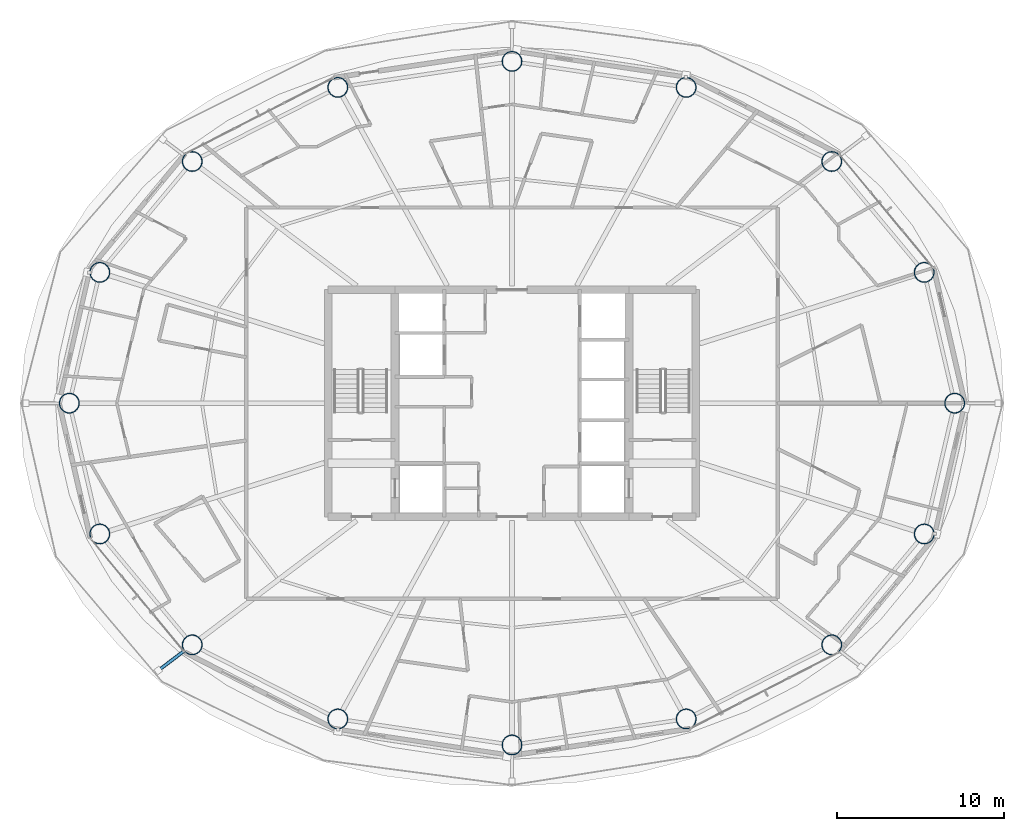
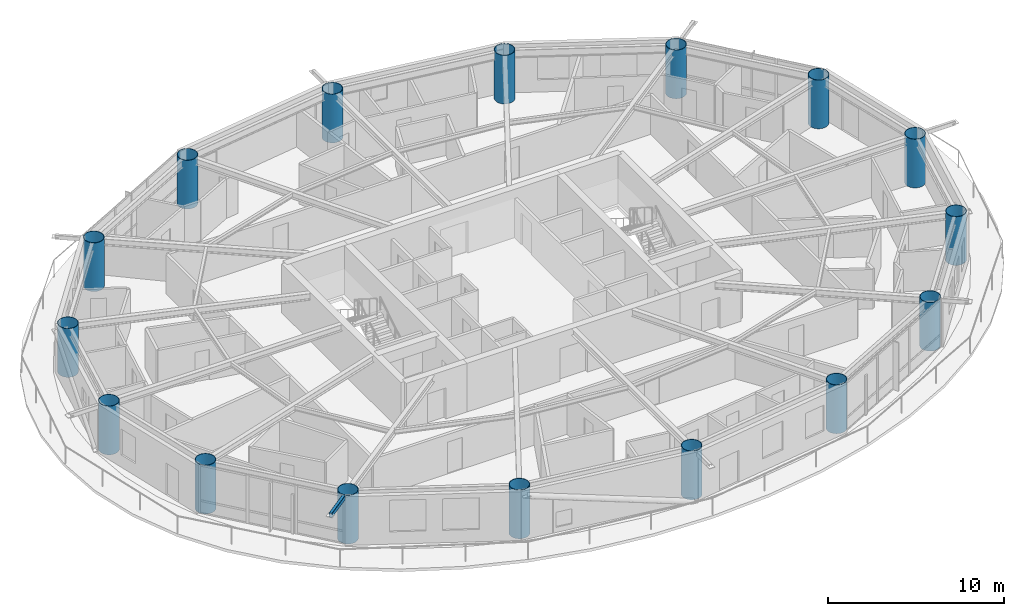
# One storey, part 1 of 28: 16 columns, 1 member.
"""IFC4 building model written with IfcOpenShell, lengths in metres."""

from ifc_helpers import new_model, si_unit, direction, frame, origin, origin_2d, place, context, subcontext, project, spatial, hollow_rectangle, hollow_circle, extrude, material, material_profile, profile_set, type_object, element, save


model = new_model("IFC4")

# Units and contexts
model_context = context("Model", 3, precision=1e-05, world=origin(), true_north=direction((0.0, 1.0)))
body_context = subcontext(model_context, "Body", "Model", "MODEL_VIEW")
ifc_project = project(units=[si_unit("LENGTHUNIT", "METRE"), si_unit("AREAUNIT", "SQUARE_METRE"), si_unit("VOLUMEUNIT", "CUBIC_METRE"), si_unit("PLANEANGLEUNIT", "RADIAN"), si_unit("MASSUNIT", "GRAM", prefix="KILO")], contexts=[model_context])

# Site, building, storey
site_placement = place(None, origin())
site = spatial("IfcSite", under=ifc_project, at=site_placement, CompositionType="ELEMENT")
building_placement = place(site_placement, origin())
building = spatial("IfcBuilding", under=site, at=building_placement, Name="Sarneth Arch Tower", CompositionType="ELEMENT")
storey_placement = place(building_placement, frame((0.0, 0.0, 179.39990234375)))
storey = spatial("IfcBuildingStorey", under=building, at=storey_placement, Name="L45", CompositionType="ELEMENT", Elevation=179.39990234375)

# Columns
ifc_material_1 = material(Name="Steel S355", Category="steel")
ifc_material_profile_1 = material_profile(ifc_material_1, hollow_circle(Radius=0.60009765625, WallThickness=0.031982421875, at=origin_2d()), Name="CHS1200x32")
ifc_profile_set_1 = profile_set([ifc_material_profile_1], Name="Steel S355")
column_type = type_object("IfcColumnType", Name="COL-MEGA-1200", PredefinedType="COLUMN", material=ifc_profile_set_1)
for number, where, z_axis, x_axis, name in (
    (1, (74.487060546875, 42.0, 0.0), (0.0, 0.0, 1.0), (1.0, 0.0, 0.0), "L45 Perimeter mega-column M01"),
    (2, (72.662109375, 49.825927734375, 0.0), (0.0, 0.0, 1.0), (1.0, 0.0, 0.0), "L45 Perimeter mega-column M02"),
    (3, (67.1337890625, 56.46044921875, 0.0), (0.0, 0.0, 1.0), (1.0, 0.0, 0.0), "L45 Perimeter mega-column M03"),
    (4, (58.421875, 60.893310546875, 0.0), (0.0, 0.0, 1.0), (1.0, 0.0, 0.0), "L45 Perimeter mega-column M04"),
    (5, (48.0, 62.449951171875, 0.0), (0.0, 0.0, 1.0), (1.0, 0.0, 0.0), "L45 Perimeter mega-column M05"),
    (6, (37.578125, 60.893310546875, 0.0), (0.0, 0.0, 1.0), (1.0, 0.0, 0.0), "L45 Perimeter mega-column M06"),
    (7, (28.8662109375, 56.46044921875, 0.0), (0.0, 0.0, 1.0), (1.0, 0.0, 0.0), "L45 Perimeter mega-column M07"),
    (8, (23.337890625, 49.825927734375, 0.0), (0.0, 0.0, 1.0), (1.0, 0.0, 0.0), "L45 Perimeter mega-column M08"),
    (9, (21.512939453125, 42.0, 0.0), (0.0, 0.0, 1.0), (1.0, 0.0, 0.0), "L45 Perimeter mega-column M09"),
    (10, (23.337890625, 34.174072265625, 0.0), (0.0, 0.0, 1.0), (1.0, 0.0, 0.0), "L45 Perimeter mega-column M10"),
    (11, (28.8662109375, 27.53955078125, 0.0), (0.0, 0.0, 1.0), (1.0, 0.0, 0.0), "L45 Perimeter mega-column M11"),
    (12, (37.578125, 23.106689453125, 0.0), (0.0, 0.0, 1.0), (1.0, 0.0, 0.0), "L45 Perimeter mega-column M12"),
    (13, (48.0, 21.550048828125, 0.0), (0.0, 0.0, 1.0), (1.0, 0.0, 0.0), "L45 Perimeter mega-column M13"),
    (14, (58.421875, 23.106689453125, 0.0), (0.0, 0.0, 1.0), (1.0, 0.0, 0.0), "L45 Perimeter mega-column M14"),
    (15, (67.1337890625, 27.53955078125, 0.0), (0.0, 0.0, 1.0), (1.0, 0.0, 0.0), "L45 Perimeter mega-column M15"),
    (16, (72.662109375, 34.174072265625, 0.0), (0.0, 0.0, 1.0), (1.0, 0.0, 0.0), "L45 Perimeter mega-column M16"),
):
    element("IfcColumn", number, at=place(storey_placement, frame(where, z_axis=z_axis, x_axis=x_axis)), inside=storey, type_object=column_type, Name=name, PredefinedType="COLUMN", context=body_context, shape_type="SweptSolid", body=[
        extrude(hollow_circle(Radius=0.60009765625, WallThickness=0.031982421875, at=origin_2d()), origin(), (0.0, 0.0, 1.0), 3.380126953125),
    ])

# Member
ifc_material_2 = material(Name="Steel S355", Category="steel")
ifc_material_profile_2 = material_profile(ifc_material_2, hollow_rectangle(XDim=0.199951171875, YDim=0.300048828125, WallThickness=0.012451171875, InnerFilletRadius=0.018798828125, OuterFilletRadius=0.03125, at=origin_2d()), Name="RHS300x200x12.5")
ifc_profile_set_2 = profile_set([ifc_material_profile_2], Name="Steel S355")
member_type = type_object("IfcMemberType", Name="MEM-CANT-STRUT", PredefinedType="STRUT", material=ifc_profile_set_2)
member_placement = place(storey_placement, frame((28.387451171875, 27.177978515625, 3.22021484375), z_axis=(-0.797749198943, -0.602989399232, 0.0), x_axis=(0.602989399232, -0.797749198943, 0.0)))
element("IfcMember", 17, at=member_placement, inside=storey, type_object=member_type, Name="L45 Balcony cantilever bracket 11", PredefinedType="STRUT", context=body_context, shape_type="SweptSolid", body=[
    extrude(hollow_rectangle(XDim=0.199951171875, YDim=0.300048828125, WallThickness=0.012451171875, InnerFilletRadius=0.018798828125, OuterFilletRadius=0.03125, at=origin_2d()), origin(), (0.0, 0.0, 1.0), 1.9443359375),
])

save(model, "model.ifc")
